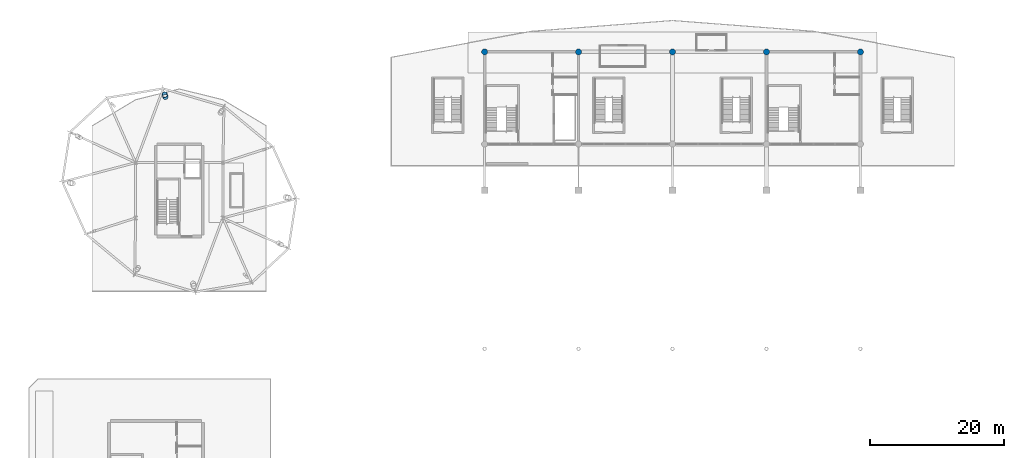
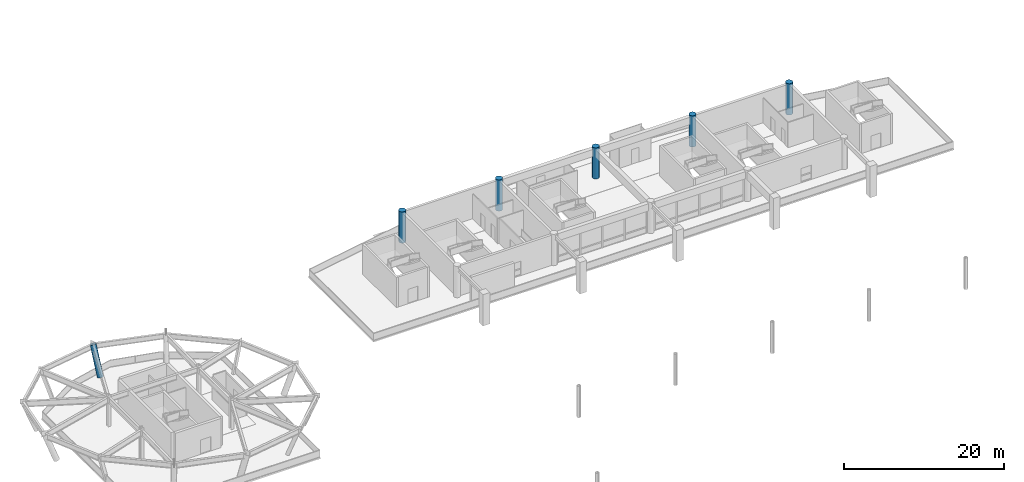
# One storey, part 16 of 91: 6 columns.
"""IFC4 building model written with IfcOpenShell, lengths in metres."""

from ifc_helpers import new_model, si_unit, direction, frame, origin, origin_2d, place, context, subcontext, project, spatial, circle, hollow_circle, extrude, material, material_profile, profile_set, type_object, element, save


model = new_model("IFC4")

# Units and contexts
model_context = context("Model", 3, precision=1e-05, world=origin(), true_north=direction((0.0, 1.0)))
body_context = subcontext(model_context, "Body", "Model", "MODEL_VIEW")
ifc_project = project(units=[si_unit("LENGTHUNIT", "METRE"), si_unit("AREAUNIT", "SQUARE_METRE"), si_unit("VOLUMEUNIT", "CUBIC_METRE"), si_unit("PLANEANGLEUNIT", "RADIAN"), si_unit("MASSUNIT", "GRAM", prefix="KILO")], contexts=[model_context])

# Site, building, storey
site_placement = place(None, origin())
site = spatial("IfcSite", under=ifc_project, at=site_placement, CompositionType="ELEMENT")
building_placement = place(site_placement, origin())
building = spatial("IfcBuilding", under=site, at=building_placement, Name="Linyun Crest Stadium", CompositionType="ELEMENT")
storey_placement = place(building_placement, frame((0.0, 0.0, 11.39990234375)))
storey = spatial("IfcBuildingStorey", under=building, at=storey_placement, Name="L03", CompositionType="ELEMENT", Elevation=11.39990234375)

# Columns
ifc_material_1 = material(Name="Concrete C50", Category="concrete")
ifc_material_profile_1 = material_profile(ifc_material_1, circle(Radius=0.449951171875, at=origin_2d()), Name="RC D900")
ifc_profile_set_1 = profile_set([ifc_material_profile_1], Name="Concrete C50")
column_type_1 = type_object("IfcColumnType", Name="C08", PredefinedType="COLUMN", material=ifc_profile_set_1)
for number, where, z_axis, x_axis, name in (
    (1, (-28.0, 105.25, 0.0), (0.0, 0.0, 1.0), (1.0, 0.0, 0.0), "Column C08 L03 587"),
    (2, (-14.0, 105.25, 0.0), (0.0, 0.0, 1.0), (1.0, 0.0, 0.0), "Column C08 L03 608"),
    (3, (0.0, 105.25, 0.0), (0.0, 0.0, 1.0), (1.0, 0.0, 0.0), "Column C08 L03 629"),
    (4, (14.0, 105.25, 0.0), (0.0, 0.0, 1.0), (1.0, 0.0, 0.0), "Column C08 L03 650"),
    (5, (28.0, 105.25, 0.0), (0.0, 0.0, 1.0), (1.0, 0.0, 0.0), "Column C08 L03 671"),
):
    element("IfcColumn", number, at=place(storey_placement, frame(where, z_axis=z_axis, x_axis=x_axis)), inside=storey, type_object=column_type_1, Name=name, PredefinedType="COLUMN", context=body_context, shape_type="SweptSolid", body=[
        extrude(circle(Radius=0.449951171875, at=origin_2d()), origin(), (0.0, 0.0, 1.0), 4.798095703125),
    ])
ifc_material_2 = material(Name="Steel Q420C", Category="steel")
ifc_material_profile_2 = material_profile(ifc_material_2, hollow_circle(Radius=0.406494140625, WallThickness=0.035888671875, at=origin_2d()), Name="CHS 813x36")
ifc_profile_set_2 = profile_set([ifc_material_profile_2], Name="Steel Q420C")
column_type_2 = type_object("IfcColumnType", Name="VL02", PredefinedType="PILASTER", material=ifc_profile_set_2)
column_placement = place(storey_placement, frame((-75.568115234375, 98.5458984375, 0.002197265625), z_axis=(-0.069730452972, 0.274194323552, 0.959142917849), x_axis=(-0.969151620915, -0.246465282905, 0.0)))
element("IfcColumn", 6, at=column_placement, inside=storey, type_object=column_type_2, Name="Inclined V-leg pier VL02 15", PredefinedType="PILASTER", context=body_context, shape_type="SweptSolid", body=[
    extrude(hollow_circle(Radius=0.406494140625, WallThickness=0.035888671875, at=origin_2d()), origin(), (0.0, 0.0, 1.0), 4.544677734375),
])

save(model, "model.ifc")
